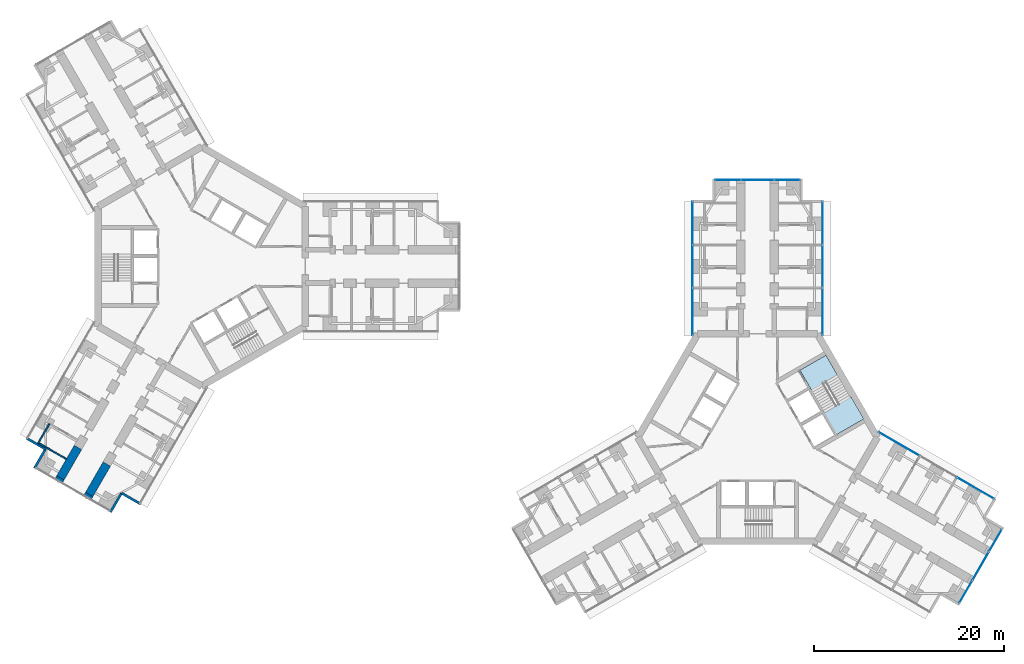
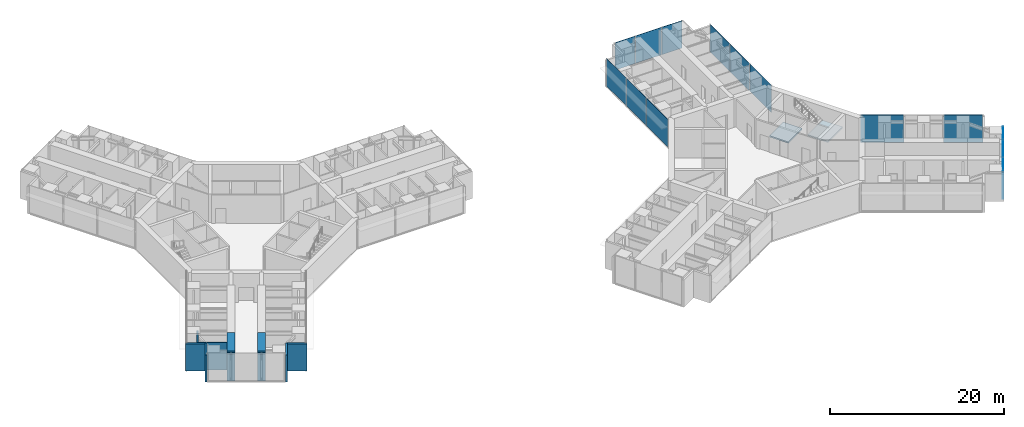
# One storey, part 15 of 24: 14 plates, 10 walls, 2 slabs, 6 elements without a shape of their own.
"""IFC4 building model written with IfcOpenShell, lengths in metres."""

from ifc_helpers import new_model, si_unit, direction, frame, frame_2d, origin, origin_2d, place, context, subcontext, project, spatial, polyline, rectangle, outline, extrude, material, layer, layer_set, type_object, element, aggregate, save


model = new_model("IFC4")

# Units and contexts
model_context = context("Model", 3, precision=1e-05, world=origin(), true_north=direction((0.0, 1.0)))
body_context = subcontext(model_context, "Body", "Model", "MODEL_VIEW")
ifc_project = project(units=[si_unit("LENGTHUNIT", "METRE"), si_unit("AREAUNIT", "SQUARE_METRE"), si_unit("VOLUMEUNIT", "CUBIC_METRE"), si_unit("PLANEANGLEUNIT", "RADIAN"), si_unit("MASSUNIT", "GRAM", prefix="KILO")], contexts=[model_context])

# Site, building, storey
site_placement = place(None, origin())
site = spatial("IfcSite", under=ifc_project, at=site_placement, CompositionType="ELEMENT")
building_placement = place(site_placement, origin())
building = spatial("IfcBuilding", under=site, at=building_placement, Name="Upepo Twin Towers", CompositionType="ELEMENT")
storey_placement = place(building_placement, frame((0.0, 0.0, 68.5)))
storey = spatial("IfcBuildingStorey", under=building, at=storey_placement, Name="L16", CompositionType="ELEMENT", Elevation=68.5)

# Curtain wall, plates
ifc_material_1 = material(Name="Aluminium and fritted glass", Category="aluminium")
curtain_wall_type = type_object("IfcCurtainWallType", Name="Tower curtain wall TW1, fritted glass", PredefinedType="NOTDEFINED", material=ifc_material_1)
curtain_wall_1_placement = place(storey_placement, origin())
curtain_wall_1 = element("IfcCurtainWall", 1, at=curtain_wall_1_placement, inside=storey, type_object=curtain_wall_type, Name="T2 L16 wing A flank L curtain wall", PredefinedType="NOTDEFINED")
ifc_material_2 = material(Name="Ceramic-fritted laminated glass", Category="glass")
ifc_layer_1 = layer(ifc_material_2, 0.031982421875)
ifc_layer_set_1 = layer_set([ifc_layer_1], Name="Fritted glass panel, 25 per cent dot frit, 32 mm double glazed")
plate_type_1 = type_object("IfcPlateType", Name="Fritted glass panel, 25 per cent dot frit, 32 mm double glazed", PredefinedType="CURTAIN_PANEL", material=ifc_layer_set_1)
plate_1_placement = place(storey_placement, frame((51.64990234375, -4.76513671875, 0.14990234375), z_axis=(0.0, 0.0, 1.0), x_axis=(0.0, 1.0, 0.0)))
plate_1 = element("IfcPlate", 2, at=plate_1_placement, type_object=plate_type_1, Name="T2 L16 wing A flank L curtain wall panel 1", PredefinedType="CURTAIN_PANEL", context=body_context, shape_type="SweptSolid", body=[
    extrude(rectangle(XDim=4.96533203125, YDim=0.031982421875, at=origin_2d()), origin(), (0.0, 0.0, 1.0), 3.85009765625),
])
plate_2_placement = place(storey_placement, frame((51.64990234375, 0.0, 0.14990234375), z_axis=(0.0, 0.0, 1.0), x_axis=(0.0, 1.0, 0.0)))
plate_2 = element("IfcPlate", 3, at=plate_2_placement, type_object=plate_type_1, Name="T2 L16 wing A flank L curtain wall panel 2", PredefinedType="CURTAIN_PANEL", context=body_context, shape_type="SweptSolid", body=[
    extrude(rectangle(XDim=4.43505859375, YDim=0.031982421875, at=origin_2d()), origin(), (0.0, 0.0, 1.0), 3.85009765625),
])
plate_3_placement = place(storey_placement, frame((51.64990234375, 4.53369140625, 0.14990234375), z_axis=(0.0, 0.0, 1.0), x_axis=(0.0, 1.0, 0.0)))
plate_3 = element("IfcPlate", 4, at=plate_3_placement, type_object=plate_type_1, Name="T2 L16 wing A flank L curtain wall panel 3", PredefinedType="CURTAIN_PANEL", context=body_context, shape_type="SweptSolid", body=[
    extrude(rectangle(XDim=4.50244140625, YDim=0.031982421875, at=origin_2d()), origin(), (0.0, 0.0, 1.0), 3.85009765625),
])
aggregate(curtain_wall_1, [plate_1, plate_2, plate_3])

curtain_wall_2_placement = place(storey_placement, origin())
curtain_wall_2 = element("IfcCurtainWall", 5, at=curtain_wall_2_placement, inside=storey, type_object=curtain_wall_type, Name="T2 L16 wing A flank R curtain wall", PredefinedType="NOTDEFINED")
plate_4_placement = place(storey_placement, frame((65.35009765625, 4.53369140625, 0.14990234375), z_axis=(0.0, 0.0, 1.0), x_axis=(0.0, -1.0, 0.0)))
plate_4 = element("IfcPlate", 6, at=plate_4_placement, type_object=plate_type_1, Name="T2 L16 wing A flank R curtain wall panel 1", PredefinedType="CURTAIN_PANEL", context=body_context, shape_type="SweptSolid", body=[
    extrude(rectangle(XDim=4.50244140625, YDim=0.031982421875, at=origin_2d()), origin(), (0.0, 0.0, 1.0), 3.85009765625),
])
plate_5_placement = place(storey_placement, frame((65.35009765625, 0.0, 0.14990234375), z_axis=(0.0, 0.0, 1.0), x_axis=(0.0, -1.0, 0.0)))
plate_5 = element("IfcPlate", 7, at=plate_5_placement, type_object=plate_type_1, Name="T2 L16 wing A flank R curtain wall panel 2", PredefinedType="CURTAIN_PANEL", context=body_context, shape_type="SweptSolid", body=[
    extrude(rectangle(XDim=4.43505859375, YDim=0.031982421875, at=origin_2d()), origin(), (0.0, 0.0, 1.0), 3.85009765625),
])
plate_6_placement = place(storey_placement, frame((65.35009765625, -4.76513671875, 0.14990234375), z_axis=(0.0, 0.0, 1.0), x_axis=(0.0, -1.0, 0.0)))
plate_6 = element("IfcPlate", 8, at=plate_6_placement, type_object=plate_type_1, Name="T2 L16 wing A flank R curtain wall panel 3", PredefinedType="CURTAIN_PANEL", context=body_context, shape_type="SweptSolid", body=[
    extrude(rectangle(XDim=4.96533203125, YDim=0.031982421875, at=origin_2d()), origin(), (0.0, 0.0, 1.0), 3.85009765625),
])
aggregate(curtain_wall_2, [plate_4, plate_5, plate_6])

# Curtain wall, plate
curtain_wall_3_placement = place(storey_placement, origin())
curtain_wall_3 = element("IfcCurtainWall", 9, at=curtain_wall_3_placement, inside=storey, type_object=curtain_wall_type, Name="T2 L16 wing A nose curtain wall", PredefinedType="NOTDEFINED")
plate_7_placement = place(storey_placement, frame((58.5, 9.10009765625, 0.14990234375), z_axis=(0.0, 0.0, 1.0), x_axis=(-1.0, 0.0, 0.0)))
plate_7 = element("IfcPlate", 10, at=plate_7_placement, type_object=plate_type_1, Name="T2 L16 wing A nose curtain wall panel 2", PredefinedType="CURTAIN_PANEL", context=body_context, shape_type="SweptSolid", body=[
    extrude(rectangle(XDim=3.43505859375, YDim=0.031982421875, at=origin_2d()), origin(), (0.0, 0.0, 1.0), 3.85009765625),
])

# Curtain wall, plates
curtain_wall_4_placement = place(storey_placement, origin())
curtain_wall_4 = element("IfcCurtainWall", 11, at=curtain_wall_4_placement, inside=storey, type_object=curtain_wall_type, Name="T2 L16 wing C flank L curtain wall", PredefinedType="NOTDEFINED")
plate_8_placement = place(storey_placement, frame((73.38671875, -18.68505859375, 0.14990234375), z_axis=(0.0, 0.0, 1.0), x_axis=(0.866025389682, -0.500000024426, 0.0)))
plate_8 = element("IfcPlate", 12, at=plate_8_placement, type_object=plate_type_1, Name="T2 L16 wing C flank L curtain wall panel 1", PredefinedType="CURTAIN_PANEL", context=body_context, shape_type="SweptSolid", body=[
    extrude(rectangle(XDim=4.96533203125, YDim=0.031982421875, at=origin_2d()), origin(), (0.0, 0.0, 1.0), 3.85009765625),
])
plate_9_placement = place(storey_placement, frame((81.439697265625, -23.334716796875, 0.14990234375), z_axis=(0.0, 0.0, 1.0), x_axis=(0.866025389682, -0.500000024426, 0.0)))
plate_9 = element("IfcPlate", 13, at=plate_9_placement, type_object=plate_type_1, Name="T2 L16 wing C flank L curtain wall panel 3", PredefinedType="CURTAIN_PANEL", context=body_context, shape_type="SweptSolid", body=[
    extrude(rectangle(XDim=4.50244140625, YDim=0.031982421875, at=origin_2d()), origin(), (0.0, 0.0, 1.0), 3.85009765625),
])
aggregate(curtain_wall_4, [plate_8, plate_9])

# Curtain wall, plate
curtain_wall_5_placement = place(storey_placement, origin())
curtain_wall_5 = element("IfcCurtainWall", 14, at=curtain_wall_5_placement, inside=storey, type_object=curtain_wall_type, Name="T2 L16 wing C nose curtain wall", PredefinedType="NOTDEFINED")
plate_10_placement = place(storey_placement, frame((81.96923828125, -31.550048828125, 0.14990234375), z_axis=(0.0, 0.0, 1.0), x_axis=(0.500000030502, 0.866025386174, 0.0)))
plate_10 = element("IfcPlate", 15, at=plate_10_placement, type_object=plate_type_1, Name="T2 L16 wing C nose curtain wall panel 2", PredefinedType="CURTAIN_PANEL", context=body_context, shape_type="SweptSolid", body=[
    extrude(rectangle(XDim=3.43505859375, YDim=0.031982421875, at=origin_2d()), origin(), (0.0, 0.0, 1.0), 3.85009765625),
])

# Plate
ifc_material_3 = material(Name="Clear laminated glass in opening sash", Category="glass")
ifc_layer_2 = layer(ifc_material_3, 0.031982421875)
ifc_layer_set_2 = layer_set([ifc_layer_2], Name="Operable glass panel, 32 mm double glazed")
plate_type_2 = type_object("IfcPlateType", Name="Operable glass panel, 32 mm double glazed", PredefinedType="CURTAIN_PANEL", material=ifc_layer_set_2)
plate_11_placement = place(storey_placement, frame((61.608642578125, 9.10009765625, 0.14990234375), z_axis=(0.0, 0.0, 1.0), x_axis=(-1.0, 0.0, 0.0)))
plate_11 = element("IfcPlate", 16, at=plate_11_placement, type_object=plate_type_2, Name="T2 L16 wing A nose curtain wall panel 1", PredefinedType="CURTAIN_PANEL", context=body_context, shape_type="SweptSolid", body=[
    extrude(rectangle(XDim=2.652587890625, YDim=0.031982421875, at=origin_2d()), origin(), (0.0, 0.0, 1.0), 3.85009765625),
])

plate_12_placement = place(storey_placement, frame((55.391357421875, 9.10009765625, 0.14990234375), z_axis=(0.0, 0.0, 1.0), x_axis=(-1.0, 0.0, 0.0)))
plate_12 = element("IfcPlate", 17, at=plate_12_placement, type_object=plate_type_2, Name="T2 L16 wing A nose curtain wall panel 3", PredefinedType="CURTAIN_PANEL", context=body_context, shape_type="SweptSolid", body=[
    extrude(rectangle(XDim=2.652587890625, YDim=0.031982421875, at=origin_2d()), origin(), (0.0, 0.0, 1.0), 3.85009765625),
])

aggregate(curtain_wall_3, [plate_11, plate_7, plate_12])

plate_13_placement = place(storey_placement, frame((80.414794921875, -34.2421875, 0.14990234375), z_axis=(0.0, 0.0, 1.0), x_axis=(0.500000030502, 0.866025386174, 0.0)))
plate_13 = element("IfcPlate", 18, at=plate_13_placement, type_object=plate_type_2, Name="T2 L16 wing C nose curtain wall panel 1", PredefinedType="CURTAIN_PANEL", context=body_context, shape_type="SweptSolid", body=[
    extrude(rectangle(XDim=2.652587890625, YDim=0.031982421875, at=origin_2d()), origin(), (0.0, 0.0, 1.0), 3.85009765625),
])

plate_14_placement = place(storey_placement, frame((83.523681640625, -28.857666015625, 0.14990234375), z_axis=(0.0, 0.0, 1.0), x_axis=(0.500000030502, 0.866025386174, 0.0)))
plate_14 = element("IfcPlate", 19, at=plate_14_placement, type_object=plate_type_2, Name="T2 L16 wing C nose curtain wall panel 3", PredefinedType="CURTAIN_PANEL", context=body_context, shape_type="SweptSolid", body=[
    extrude(rectangle(XDim=2.652587890625, YDim=0.031982421875, at=origin_2d()), origin(), (0.0, 0.0, 1.0), 3.85009765625),
])

aggregate(curtain_wall_5, [plate_13, plate_10, plate_14])

# Stair, slabs
ifc_material_4 = material(Name="Concrete C40/50", Category="concrete")
stair_type = type_object("IfcStairType", Name="Core stair, two flights", PredefinedType="HALF_TURN_STAIR", material=ifc_material_4)
stair_placement = place(storey_placement, origin())
stair = element("IfcStair", 20, at=stair_placement, inside=storey, type_object=stair_type, Name="T2 stair S2 L16", PredefinedType="HALF_TURN_STAIR")
ifc_material_5 = material(Name="Concrete C40/50", Category="concrete")
ifc_layer_3 = layer(ifc_material_5, 0.199951171875)
ifc_layer_set_3 = layer_set([ifc_layer_3], Name="Concrete C40/50")
slab_type = type_object("IfcSlabType", Name="Stair landing 200 RC", PredefinedType="LANDING", material=ifc_layer_set_3)
slab_1_placement = place(storey_placement, frame((0.0, 0.0, -0.199951171875)))
slab_1 = element("IfcSlab", 21, at=slab_1_placement, type_object=slab_type, Name="Stair S2 landing 1", PredefinedType="LANDING", context=body_context, shape_type="SweptSolid", body=[
    extrude(outline(polyline([(64.198486328125, -13.0703125), (66.933837890625, -11.490966796875), (65.69384765625, -9.34326171875), (62.95849609375, -10.922607421875), (64.198486328125, -13.0703125)])), origin(), (0.0, 0.0, 1.0), 0.199951171875),
])
slab_2_placement = place(storey_placement, frame((0.0, 0.0, 1.800048828125)))
slab_2 = element("IfcSlab", 22, at=slab_2_placement, type_object=slab_type, Name="Stair S2 landing 2", PredefinedType="LANDING", context=body_context, shape_type="SweptSolid", body=[
    extrude(outline(polyline([(66.77197265625, -17.7275390625), (69.680419921875, -16.04833984375), (68.3203125, -13.692626953125), (65.411865234375, -15.371826171875), (66.77197265625, -17.7275390625)])), origin(), (0.0, 0.0, 1.0), 0.199951171875),
])
aggregate(stair, [slab_1, slab_2])

# Walls
ifc_material_6 = material(Name="Dense concrete blockwork", Category="masonry")
ifc_layer_4 = layer(ifc_material_6, 0.89990234375)
ifc_layer_set_4 = layer_set([ifc_layer_4], Name="Buttress closer 900, blockwork with fire-stopping to the curtain wall")
wall_type_1 = type_object("IfcWallType", Name="Buttress closer 900, blockwork with fire-stopping to the curtain wall", PredefinedType="PARTITIONING", material=ifc_layer_set_4)
for number, where, z_axis, x_axis, name in (
    (23, (-11.83447265625, -23.997802734375, 0.0), (0.0, 0.0, 1.0), (-0.499949632511, -0.866054481515, 0.0), "T1 L16 wing C buttress closer L"),
    (24, (-14.865478515625, -22.247802734375, 0.0), (0.0, 0.0, 1.0), (-0.499949632511, -0.866054481515, 0.0), "T1 L16 wing C buttress closer R"),
):
    element("IfcWall", number, at=place(storey_placement, frame(where, z_axis=z_axis, x_axis=x_axis)), inside=storey, type_object=wall_type_1, Name=name, PredefinedType="PARTITIONING", context=body_context, shape_type="SweptSolid", body=[
        extrude(rectangle(XDim=0.31005859375, YDim=0.89990234375, at=frame_2d((0.155029296875, 0.0))), origin(), (0.0, 0.0, 1.0), 3.800048828125),
    ])
ifc_material_7 = material(Name="Concrete C60/75", Category="concrete")
ifc_layer_5 = layer(ifc_material_7, 0.89990234375)
ifc_layer_set_5 = layer_set([ifc_layer_5], Name="Concrete C60/75")
wall_type_2 = type_object("IfcWallType", Name="Buttress wall 900 RC", PredefinedType="SHEAR", material=ifc_layer_set_5)
wall_1_placement = place(storey_placement, frame((-9.984375, -20.793701171875, 0.0), z_axis=(0.0, 0.0, 1.0), x_axis=(-0.500042316284, -0.866000971088, 0.0)))
element("IfcWall", 25, at=wall_1_placement, inside=storey, type_object=wall_type_2, Name="T1 wing C buttress wall L part 3", PredefinedType="SHEAR", context=body_context, shape_type="SweptSolid", body=[
    extrude(rectangle(XDim=3.699951171875, YDim=0.89990234375, at=frame_2d((1.85009765625, 0.0))), origin(), (0.0, 0.0, 1.0), 4.0),
])
wall_2_placement = place(storey_placement, frame((-13.015625, -19.043701171875, 0.0), z_axis=(0.0, 0.0, 1.0), x_axis=(-0.499992827086, -0.866029545028, 0.0)))
element("IfcWall", 26, at=wall_2_placement, inside=storey, type_object=wall_type_2, Name="T1 wing C buttress wall R part 3", PredefinedType="SHEAR", context=body_context, shape_type="SweptSolid", body=[
    extrude(rectangle(XDim=3.69970703125, YDim=0.89990234375, at=frame_2d((1.849853515625, 0.0))), origin(), (0.0, 0.0, 1.0), 4.0),
])
ifc_material_8 = material(Name="Blockwork with anodised aluminium cladding", Category="masonry")
ifc_layer_6 = layer(ifc_material_8, 0.25)
ifc_layer_set_6 = layer_set([ifc_layer_6], Name="Notch cladding wall 250, pale metal")
wall_type_3 = type_object("IfcWallType", Name="Notch cladding wall 250, pale metal", PredefinedType="STANDARD", material=ifc_layer_set_6)
for number, where, z_axis, x_axis, name in (
    (27, (-6.418701171875, -25.017333984375, 0.0), (0.0, 0.0, 1.0), (-0.866043940782, 0.499967891604, 0.0), "T1 L16 wing C notch wall L1"),
    (28, (-8.43212890625, -23.85498046875, 0.0), (0.0, 0.0, 1.0), (-0.500046648681, -0.865998469481, 0.0), "T1 L16 wing C notch wall L2"),
    (29, (-18.456298828125, -18.0673828125, 0.0), (0.0, 0.0, 1.0), (0.865998469481, -0.500046648681, 0.0), "T1 L16 wing C notch wall R1"),
    (30, (-16.44287109375, -19.22998046875, 0.0), (0.0, 0.0, 1.0), (-0.500046648681, -0.865998469481, 0.0), "T1 L16 wing C notch wall R2"),
):
    element("IfcWall", number, at=place(storey_placement, frame(where, z_axis=z_axis, x_axis=x_axis)), inside=storey, type_object=wall_type_3, Name=name, PredefinedType="STANDARD", context=body_context, shape_type="SweptSolid", body=[
        extrude(rectangle(XDim=2.324951171875, YDim=0.25, at=frame_2d((1.16259765625, 0.0))), origin(), (0.0, 0.0, 1.0), 3.800048828125),
    ])
ifc_material_9 = material(Name="Gypsum board on steel studs", Category="steel")
ifc_layer_7 = layer(ifc_material_9, 0.14990234375)
ifc_layer_set_7 = layer_set([ifc_layer_7], Name="Teaching partition 150 acoustic")
wall_type_4 = type_object("IfcWallType", Name="Teaching partition 150 acoustic", PredefinedType="PARTITIONING", material=ifc_layer_set_7)
wall_3_placement = place(storey_placement, frame((-16.024658203125, -16.5556640625, 0.0), z_axis=(0.0, 0.0, 1.0), x_axis=(-0.500077600433, -0.865980596518, 0.0)))
element("IfcWall", 31, at=wall_3_placement, inside=storey, type_object=wall_type_4, Name="T1 inner room partition CR at 22.35", PredefinedType="PARTITIONING", context=body_context, shape_type="SweptSolid", body=[
    extrude(rectangle(XDim=2.39990234375, YDim=0.14990234375, at=frame_2d((1.199951171875, 0.0))), origin(), (0.0, 0.0, 1.0), 3.800048828125),
])
wall_4_placement = place(storey_placement, frame((-14.24267578125, -20.269287109375, 0.0), z_axis=(0.0, 0.0, 1.0), x_axis=(-0.866007419912, 0.500031147688, 0.0)))
element("IfcWall", 32, at=wall_4_placement, inside=storey, type_object=wall_type_4, Name="T1 inner room partition CR end at 24.75", PredefinedType="PARTITIONING", context=body_context, shape_type="SweptSolid", body=[
    extrude(rectangle(XDim=3.400146484375, YDim=0.14990234375, at=frame_2d((1.7001953125, 0.0))), origin(), (0.0, 0.0, 1.0), 3.800048828125),
])

save(model, "model.ifc")
